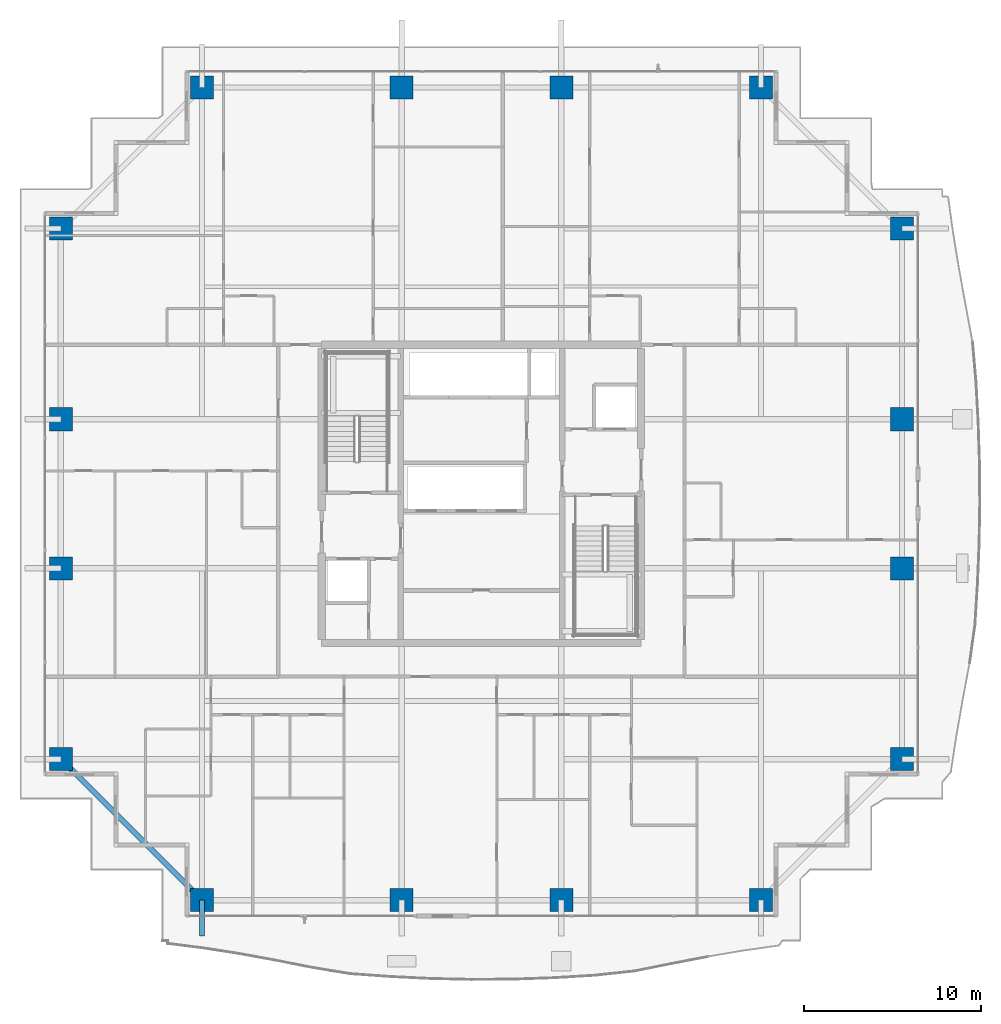
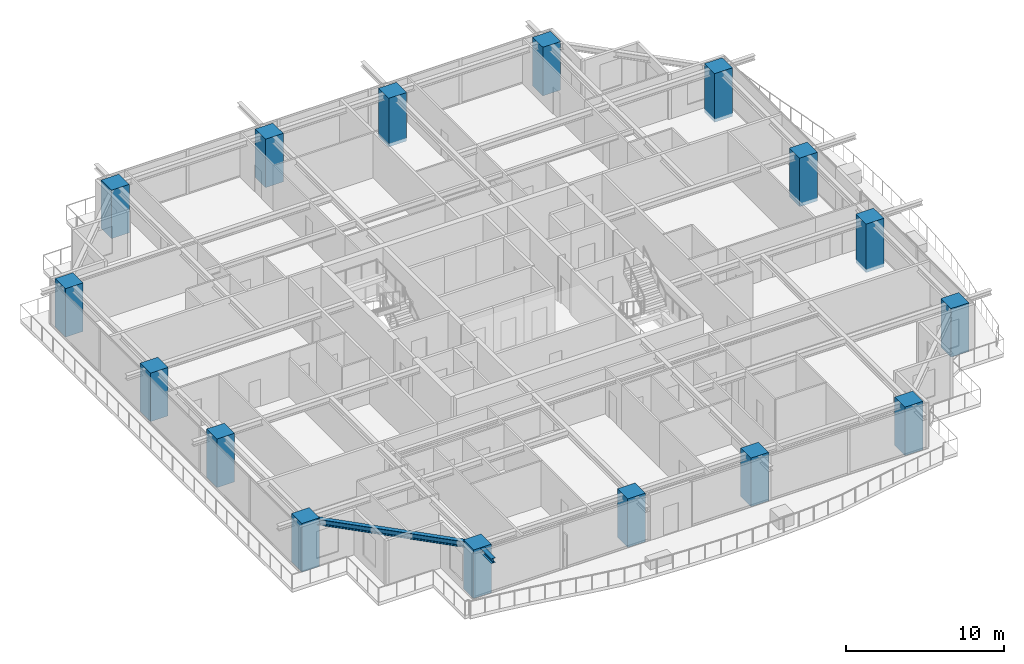
# One storey, part 1 of 36: 16 columns, 2 beams.
"""IFC4 building model written with IfcOpenShell, lengths in metres."""

from ifc_helpers import new_model, si_unit, direction, frame, origin, origin_2d, place, context, subcontext, project, spatial, rectangle, i_section, extrude, source, transform, mapped, material, material_profile, profile_set, type_object, element, save


model = new_model("IFC4")

# Units and contexts
model_context = context("Model", 3, precision=1e-05, world=origin(), true_north=direction((0.0, 1.0)))
body_context = subcontext(model_context, "Body", "Model", "MODEL_VIEW")
ifc_project = project(units=[si_unit("LENGTHUNIT", "METRE"), si_unit("AREAUNIT", "SQUARE_METRE"), si_unit("VOLUMEUNIT", "CUBIC_METRE"), si_unit("PLANEANGLEUNIT", "RADIAN"), si_unit("MASSUNIT", "GRAM", prefix="KILO")], contexts=[model_context])

# Site, building, storey
site_placement = place(None, origin())
site = spatial("IfcSite", under=ifc_project, at=site_placement, CompositionType="ELEMENT")
building_placement = place(site_placement, origin())
building = spatial("IfcBuilding", under=site, at=building_placement, Name="Serunith Strait Residences", CompositionType="ELEMENT")
storey_placement = place(building_placement, frame((0.0, 0.0, 146.39990234375)))
storey = spatial("IfcBuildingStorey", under=building, at=storey_placement, Name="L36", CompositionType="ELEMENT", Elevation=146.39990234375)

# Columns
ifc_material_1 = material(Name="Concrete C80/95", Category="concrete")
ifc_material_profile_1 = material_profile(ifc_material_1, rectangle(XDim=1.300048828125, YDim=1.300048828125, at=origin_2d()), Name="RC 1300x1300")
ifc_profile_set_1 = profile_set([ifc_material_profile_1], Name="Concrete C80/95")
column_type = type_object("IfcColumnType", Name="COL-RC-1300", PredefinedType="COLUMN", material=ifc_profile_set_1)
shared_shape_1 = source(origin(), body_context, "Body", "SweptSolid", [
    extrude(rectangle(XDim=1.300048828125, YDim=1.300048828125, at=origin_2d()), origin(), (0.0, 0.0, 1.0), 3.75),
])
for number, where, z_axis, x_axis, name in (
    (1, (16.64990234375, 2.300048828125, -0.260009765625), (0.0, 0.0, 1.0), (1.0, 0.0, 0.0), "L36 Tower Mega-Column TC-S1"),
    (2, (27.89990234375, 2.300048828125, -0.260009765625), (0.0, 0.0, 1.0), (1.0, 0.0, 0.0), "L36 Tower Mega-Column TC-S2"),
    (3, (36.89990234375, 2.300048828125, -0.260009765625), (0.0, 0.0, 1.0), (1.0, 0.0, 0.0), "L36 Tower Mega-Column TC-S3"),
    (4, (48.14990234375, 2.300048828125, -0.260009765625), (0.0, 0.0, 1.0), (1.0, 0.0, 0.0), "L36 Tower Mega-Column TC-S4"),
    (5, (16.64990234375, 48.10009765625, -0.260009765625), (0.0, 0.0, 1.0), (1.0, 0.0, 0.0), "L36 Tower Mega-Column TC-N1"),
    (6, (27.89990234375, 48.10009765625, -0.260009765625), (0.0, 0.0, 1.0), (1.0, 0.0, 0.0), "L36 Tower Mega-Column TC-N2"),
    (7, (36.89990234375, 48.10009765625, -0.260009765625), (0.0, 0.0, 1.0), (1.0, 0.0, 0.0), "L36 Tower Mega-Column TC-N3"),
    (8, (48.14990234375, 48.10009765625, -0.260009765625), (0.0, 0.0, 1.0), (1.0, 0.0, 0.0), "L36 Tower Mega-Column TC-N4"),
    (9, (56.10009765625, 10.25, -0.260009765625), (0.0, 0.0, 1.0), (1.0, 0.0, 0.0), "L36 Tower Mega-Column TC-E1"),
    (10, (56.10009765625, 21.0, -0.260009765625), (0.0, 0.0, 1.0), (1.0, 0.0, 0.0), "L36 Tower Mega-Column TC-E2"),
    (11, (56.10009765625, 29.39990234375, -0.260009765625), (0.0, 0.0, 1.0), (1.0, 0.0, 0.0), "L36 Tower Mega-Column TC-E3"),
    (12, (56.10009765625, 40.14990234375, -0.260009765625), (0.0, 0.0, 1.0), (1.0, 0.0, 0.0), "L36 Tower Mega-Column TC-E4"),
    (13, (8.699951171875, 10.25, -0.260009765625), (0.0, 0.0, 1.0), (1.0, 0.0, 0.0), "L36 Tower Mega-Column TC-W1"),
    (14, (8.699951171875, 21.0, -0.260009765625), (0.0, 0.0, 1.0), (1.0, 0.0, 0.0), "L36 Tower Mega-Column TC-W2"),
    (15, (8.699951171875, 29.39990234375, -0.260009765625), (0.0, 0.0, 1.0), (1.0, 0.0, 0.0), "L36 Tower Mega-Column TC-W3"),
    (16, (8.699951171875, 40.14990234375, -0.260009765625), (0.0, 0.0, 1.0), (1.0, 0.0, 0.0), "L36 Tower Mega-Column TC-W4"),
):
    element("IfcColumn", number, at=place(storey_placement, frame(where, z_axis=z_axis, x_axis=x_axis)), inside=storey, type_object=column_type, Name=name, PredefinedType="COLUMN", context=body_context, shape_type="MappedRepresentation", body=[
        mapped(shared_shape_1, transform((0.0, 0.0, 0.0), scale=1.0)),
    ])

# Beams
ifc_material_2 = material(Name="Steel S355J2", Category="steel")
ifc_material_profile_2 = material_profile(ifc_material_2, i_section(OverallWidth=0.300048828125, OverallDepth=0.449951171875, WebThickness=0.013916015625, FlangeThickness=0.02587890625, FilletRadius=0.027099609375, at=origin_2d()), Name="HEB 450")
ifc_profile_set_2 = profile_set([ifc_material_profile_2], Name="Steel S355J2")
beam_type_1 = type_object("IfcBeamType", Name="BM-HEB450", PredefinedType="BEAM", material=ifc_profile_set_2)
shared_shape_2 = source(origin(), body_context, "Body", "SweptSolid", [
    extrude(i_section(OverallWidth=0.300048828125, OverallDepth=0.449951171875, WebThickness=0.013916015625, FlangeThickness=0.02587890625, FilletRadius=0.027099609375, at=origin_2d()), origin(), (0.0, 0.0, 1.0), 11.242919921875),
])
beam_1_placement = place(storey_placement, frame((8.699951171875, 10.25, 3.232177734375), z_axis=(0.707106781187, -0.707106781187, 0.0), x_axis=(0.707106781187, 0.707106781187, 0.0)))
element("IfcBeam", 17, at=beam_1_placement, inside=storey, type_object=beam_type_1, Name="L36 Perimeter Ring Beam 16", PredefinedType="BEAM", context=body_context, shape_type="MappedRepresentation", body=[
    mapped(shared_shape_2, transform((0.0, 0.0, 0.0), scale=1.0)),
])
ifc_material_profile_3 = material_profile(ifc_material_2, i_section(OverallWidth=0.300048828125, OverallDepth=0.360107421875, WebThickness=0.012451171875, FlangeThickness=0.0224609375, FilletRadius=0.027099609375, at=origin_2d()), Name="HEB 360")
ifc_profile_set_3 = profile_set([ifc_material_profile_3], Name="Steel S355J2")
beam_type_2 = type_object("IfcBeamType", Name="BM-HEB360", PredefinedType="BEAM", material=ifc_profile_set_3)
shared_shape_3 = source(origin(), body_context, "Body", "SweptSolid", [
    extrude(i_section(OverallWidth=0.300048828125, OverallDepth=0.360107421875, WebThickness=0.012451171875, FlangeThickness=0.0224609375, FilletRadius=0.027099609375, at=origin_2d()), origin(), (0.0, 0.0, 1.0), 2.030029296875),
])
beam_2_placement = place(storey_placement, frame((16.64990234375, 2.300048828125, 3.277099609375), z_axis=(0.0, -1.0, 0.0), x_axis=(1.0, 0.0, 0.0)))
element("IfcBeam", 18, at=beam_2_placement, inside=storey, type_object=beam_type_2, Name="L37 Cantilevered Balcony Rib TC-S1", PredefinedType="BEAM", context=body_context, shape_type="MappedRepresentation", body=[
    mapped(shared_shape_3, transform((0.0, 0.0, 0.0), scale=1.0)),
])

save(model, "model.ifc")
